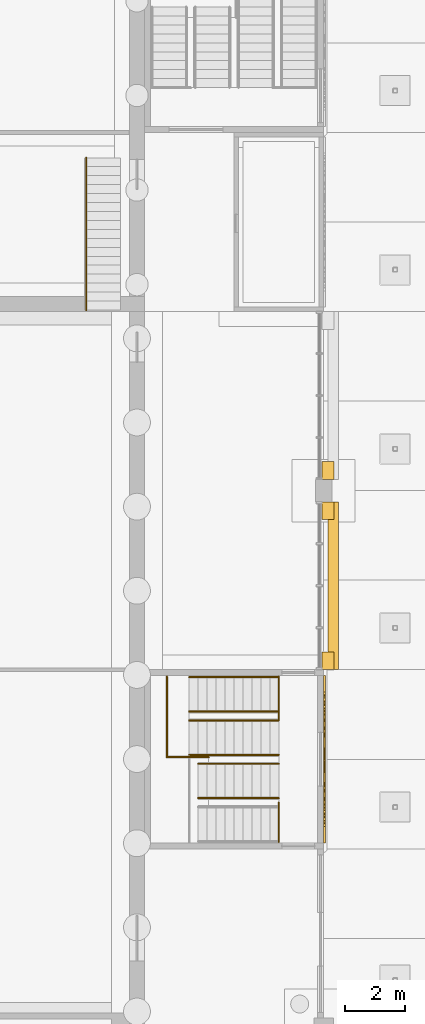
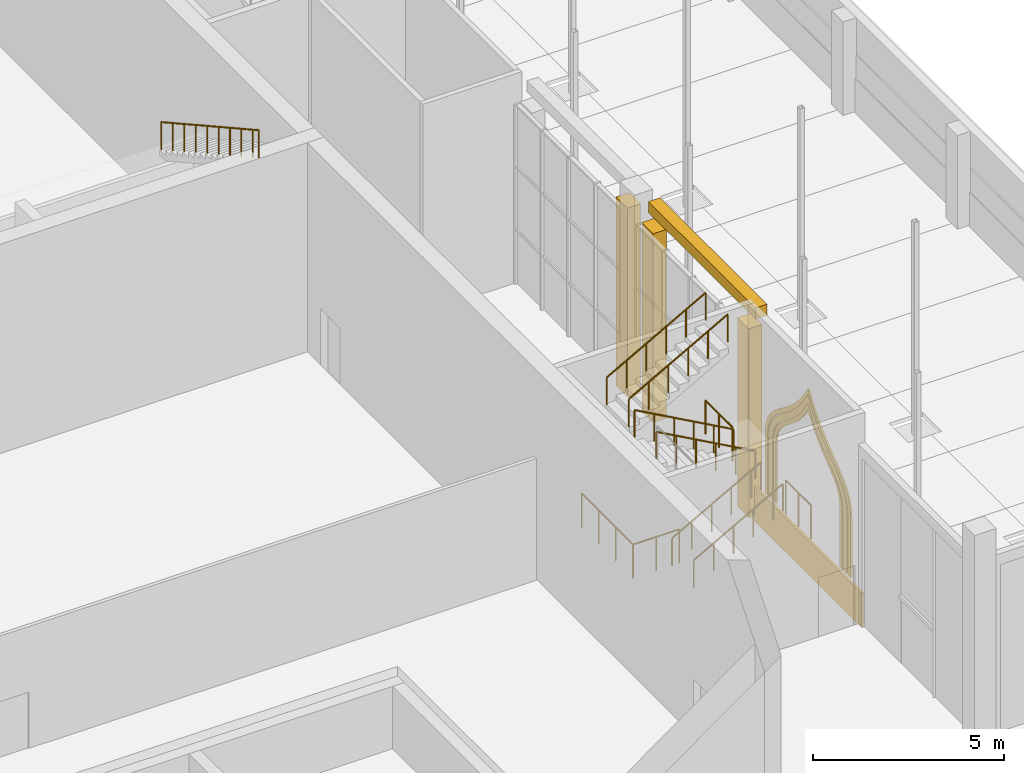
# One storey, part 69 of 95: 11 railings, 8 coverings.
"""IFC4 building model written with IfcOpenShell, lengths in metres."""

import ifcopenshell
import ifcopenshell.guid

model = None  # the IFC model being written
_history = None  # IfcOwnerHistory: only IFC2X3 demands one
_inside = {}  # id of a spatial element -> (the spatial element, [elements in it])
_under = {}  # id of a project, library or spatial element -> (it, [spatial elements below it])
_declared = {}  # id of a project -> (the project, [libraries it declares])
_typed = {}  # id of a type object -> (the type object, [elements of that type])
_made_of = {}  # id of a material, layer set ... -> (it, [elements and type objects made of it])


def new_model(schema):
    """Start an empty IFC model of exactly this schema.

    Asked for "IFC4X3", IfcOpenShell would pick the latest addendum, in which some entities
    have other attributes; the version numbers below select the first issue.
    IFC2X3 requires an IfcOwnerHistory on every rooted entity: one is made here for all.
    """
    global model, _history
    if schema == "IFC4X3":
        model = ifcopenshell.file(schema_version=(4, 3, 0, 0))
    else:
        model = ifcopenshell.file(schema=schema)
    _inside.clear()
    _under.clear()
    _declared.clear()
    _typed.clear()
    _made_of.clear()
    _history = None
    if model.schema == "IFC2X3":
        org = make("IfcOrganization", Name="unknown")
        user = make(
            "IfcPersonAndOrganization",
            ThePerson=make("IfcPerson", FamilyName="unknown"),
            TheOrganization=org,
        )
        app = make(
            "IfcApplication",
            ApplicationDeveloper=org,
            Version="unknown",
            ApplicationFullName="unknown",
            ApplicationIdentifier="unknown",
        )
        _history = make(
            "IfcOwnerHistory",
            OwningUser=user,
            OwningApplication=app,
            ChangeAction="ADDED",
            CreationDate=0,
        )
    return model


def make(cls, **values):
    """One entity of the class cls with the attributes given. An attribute that is None is left unset."""
    return model.create_entity(
        cls, **{name: value for name, value in values.items() if value is not None}
    )


def rooted(cls, **values):
    """An entity with a GlobalId (a new one), such as an element, a storey or a relation."""
    return make(cls, GlobalId=ifcopenshell.guid.new(), OwnerHistory=_history, **values)


def si_unit(unit_type, name, prefix=None):
    """IfcSIUnit, for example si_unit("LENGTHUNIT", "METRE", prefix="MILLI")."""
    return make("IfcSIUnit", UnitType=unit_type, Prefix=prefix, Name=name)


def assignment(units):
    """IfcUnitAssignment: the units of a project."""
    return None if units is None else make("IfcUnitAssignment", Units=units)


def point(xyz):
    """IfcCartesianPoint."""
    return None if xyz is None else make("IfcCartesianPoint", Coordinates=xyz)


def direction(xyz):
    """IfcDirection."""
    return None if xyz is None else make("IfcDirection", DirectionRatios=xyz)


def frame(location, z_axis=None, x_axis=None):
    """IfcAxis2Placement3D, a coordinate frame: its origin and axes. An axis left out is left unset."""
    return make(
        "IfcAxis2Placement3D",
        Location=point(location),
        Axis=direction(z_axis),
        RefDirection=direction(x_axis),
    )


def frame_2d(location, x_axis=None):
    """IfcAxis2Placement2D, a coordinate frame in the plane: its origin and x axis."""
    return make(
        "IfcAxis2Placement2D", Location=point(location), RefDirection=direction(x_axis)
    )


def origin():
    """The frame at (0, 0, 0) with its axes left unset."""
    return frame((0.0, 0.0, 0.0))


def origin_2d():
    """The frame at (0, 0) in the plane with its x axis left unset."""
    return frame_2d((0.0, 0.0))


def place(relative_to, where):
    """IfcLocalPlacement: puts the frame where relative to a parent placement (None: the world)."""
    return make(
        "IfcLocalPlacement", PlacementRelTo=relative_to, RelativePlacement=where
    )


def context(
    kind, dimensions, precision=None, world=None, true_north=None, identifier=None
):
    """IfcGeometricRepresentationContext, for example the 3D "Model" context."""
    return make(
        "IfcGeometricRepresentationContext",
        ContextIdentifier=identifier,
        ContextType=kind,
        CoordinateSpaceDimension=dimensions,
        Precision=precision,
        WorldCoordinateSystem=world,
        TrueNorth=true_north,
    )


def subcontext(parent, identifier, kind, view, scale=None):
    """IfcGeometricRepresentationSubContext, for example "Body" below "Model"."""
    return make(
        "IfcGeometricRepresentationSubContext",
        ContextIdentifier=identifier,
        ContextType=kind,
        ParentContext=parent,
        TargetScale=scale,
        TargetView=view,
    )


def project(units=None, contexts=None):
    """IfcProject with its units and contexts."""
    return rooted(
        "IfcProject",
        Name="project",
        RepresentationContexts=contexts,
        UnitsInContext=assignment(units),
    )


def spatial(cls, under=None, at=None, **own):
    """A site, building, storey or space (cls), placed at a placement, below another one or the project."""
    s = rooted(cls, ObjectPlacement=at, **own)
    if under is not None:
        _under.setdefault(under.id(), (under, []))[1].append(s)
    return s


def polyline(points):
    """IfcPolyline through the points."""
    return make("IfcPolyline", Points=[point(p) for p in points])


def profile(cls, at=None, kind="AREA", **sizes):
    """A parametric profile (cls). Its sizes go by their IFC names, for example OverallWidth=200.0."""
    return make(cls, ProfileType=kind, Position=at, **sizes)


def rectangle(**sizes):
    """IfcRectangleProfileDef."""
    return profile("IfcRectangleProfileDef", **sizes)


def circle(**sizes):
    """IfcCircleProfileDef."""
    return profile("IfcCircleProfileDef", **sizes)


def outline(outer, holes=None, kind="AREA"):
    """IfcArbitraryClosedProfileDef: a profile drawn as a closed curve; with holes, ...WithVoids."""
    if holes is None:
        return make("IfcArbitraryClosedProfileDef", ProfileType=kind, OuterCurve=outer)
    return make(
        "IfcArbitraryProfileDefWithVoids",
        ProfileType=kind,
        OuterCurve=outer,
        InnerCurves=holes,
    )


def extrude(swept, where, along, depth):
    """IfcExtrudedAreaSolid: the profile swept, set in the frame where, extruded along a direction by depth."""
    return make(
        "IfcExtrudedAreaSolid",
        SweptArea=swept,
        Position=where,
        ExtrudedDirection=direction(along),
        Depth=depth,
    )


def shape(context_of_items, identifier, shape_type, items):
    """IfcShapeRepresentation: the items that make up one representation, for example the "Body"."""
    return make(
        "IfcShapeRepresentation",
        ContextOfItems=context_of_items,
        RepresentationIdentifier=identifier,
        RepresentationType=shape_type,
        Items=items,
    )


def material(Name=None, Category=None):
    """IfcMaterial."""
    return make("IfcMaterial", Name=Name, Category=Category)


def layer(
    of_material, thickness, ventilated=None, Name=None, Category=None, Priority=None
):
    """IfcMaterialLayer: one layer of a wall or slab, of a material (None: an air gap)."""
    return make(
        "IfcMaterialLayer",
        Material=of_material,
        LayerThickness=thickness,
        IsVentilated=ventilated,
        Name=Name,
        Category=Category,
        Priority=Priority,
    )


def layer_set(layers, Name=None):
    """IfcMaterialLayerSet."""
    return make("IfcMaterialLayerSet", MaterialLayers=layers, LayerSetName=Name)


def made_of(thing, what):
    """Note that an element or type object is made of a material, layer set ...; save() writes the relation."""
    if what is not None:
        _made_of.setdefault(what.id(), (what, []))[1].append(thing)
    return thing


def type_object(cls, material=None, **own):
    """A type object (cls), such as IfcWallType, which elements share."""
    return made_of(rooted(cls, **own), material)


def element(
    cls,
    number,
    at=None,
    inside=None,
    cuts=None,
    type_object=None,
    material=None,
    context=None,
    identifier="Body",
    shape_type=None,
    held_by="IfcProductDefinitionShape",
    body=None,
    shapes=None,
    **own,
):
    """One element of the class cls, such as IfcWall. Its Tag is "e" and its number.

    at: its placement. inside: the storey or other place that contains it. cuts: it is an
    opening in that element (IfcRelVoidsElement). A single representation is given by context,
    identifier, shape_type and body (its items); several are given by shapes. held_by: the class
    of the entity that holds the representations. save() writes the other relations.
    """
    e = rooted(cls, Tag="e%d" % number, ObjectPlacement=at, **own)
    if body is not None:
        shapes = [shape(context, identifier, shape_type, body)]
    if shapes is not None:
        e.Representation = make(held_by, Representations=shapes)
    if inside is not None:
        _inside.setdefault(inside.id(), (inside, []))[1].append(e)
    if cuts is not None:
        rooted(
            "IfcRelVoidsElement", RelatingBuildingElement=cuts, RelatedOpeningElement=e
        )
    if type_object is not None:
        _typed.setdefault(type_object.id(), (type_object, []))[1].append(e)
    return made_of(e, material)


def aggregate(whole, parts):
    """IfcRelAggregates: a whole, such as a stair, and the parts it consists of."""
    return rooted("IfcRelAggregates", RelatingObject=whole, RelatedObjects=parts)


def save(model, path):
    """Write the relations noted so far, then the file.

    IfcRelAggregates (storeys below a building ...), IfcRelContainedInSpatialStructure (elements
    in a storey), IfcRelDefinesByType, IfcRelAssociatesMaterial and IfcRelDeclares: one each for
    every whole, place, type object, material and project.
    """
    for whole, parts in _under.values():
        aggregate(whole, parts)
    for where, things in _inside.values():
        rooted(
            "IfcRelContainedInSpatialStructure",
            RelatedElements=things,
            RelatingStructure=where,
        )
    for kind, things in _typed.values():
        rooted("IfcRelDefinesByType", RelatedObjects=things, RelatingType=kind)
    for what, things in _made_of.values():
        rooted("IfcRelAssociatesMaterial", RelatedObjects=things, RelatingMaterial=what)
    for by, libraries in _declared.values():
        rooted("IfcRelDeclares", RelatingContext=by, RelatedDefinitions=libraries)
    model.write(path)


model = new_model("IFC4")

# Units and contexts
model_context = context("Model", 3, precision=1e-05, world=origin(), true_north=direction((0.0, 1.0)))
body_context = subcontext(model_context, "Body", "Model", "MODEL_VIEW")
ifc_project = project(units=[si_unit("LENGTHUNIT", "METRE"), si_unit("AREAUNIT", "SQUARE_METRE"), si_unit("VOLUMEUNIT", "CUBIC_METRE"), si_unit("PLANEANGLEUNIT", "RADIAN"), si_unit("MASSUNIT", "GRAM", prefix="KILO")], contexts=[model_context])

# Site, building, storey
site_placement = place(None, origin())
site = spatial("IfcSite", under=ifc_project, at=site_placement, CompositionType="ELEMENT")
building_placement = place(site_placement, origin())
building = spatial("IfcBuilding", under=site, at=building_placement, Name="Saffron Lane Theatres", CompositionType="ELEMENT")
storey_placement = place(building_placement, origin())
storey = spatial("IfcBuildingStorey", under=building, at=storey_placement, Name="L00", CompositionType="ELEMENT", Elevation=0.0)

# Coverings
ifc_material_1 = material(Name="Masonry sandstone", Category="masonry")
ifc_layer_1 = layer(ifc_material_1, 0.050048828125)
ifc_layer_set_1 = layer_set([ifc_layer_1], Name="Masonry sandstone")
covering_type_1 = type_object("IfcCoveringType", Name="EX-ARCH FRAME RING SANDSTONE 50", PredefinedType="CLADDING", material=ifc_layer_set_1)
covering_1_placement = place(storey_placement, frame((54.0, 37.2099609375, 3.12890625), z_axis=(-1.0, 0.0, 0.0), x_axis=(0.0, 0.060212267817, 0.99818559537)))
element("IfcCovering", 1, at=covering_1_placement, inside=storey, type_object=covering_type_1, Name="Arch recess ring L00", PredefinedType="CLADDING", context=body_context, shape_type="SweptSolid", body=[
    extrude(outline(polyline([(0.0, 0.0), (0.18245996245064686, 1.734723475976807e-18), (0.3472933323075325, 0.024054199915656917), (0.49622918690115053, 0.06838953283459552), (0.6301982160698869, 0.13221610474866663), (0.7522361869840188, 0.21314953337272502), (0.8673137477940834, 0.3084441366809254), (0.9769603789575473, 0.41507264098694907), (1.0849429406100468, 0.5306065632235581), (1.196652181685609, 0.6552098929656452), (1.3147478693531138, 0.7843196692926863), (1.4429589697428435, 0.9189338765698157), (1.5855397383006742, 1.056594631208401), (1.7442633531391913, 1.1942599592614254), (1.9247936613689376, 1.3325665453533233), (2.12835764474947, 1.4675270254379955), (2.4426495451358874, 1.645948009593871), (2.1520838655153414, 1.860855040801105), (1.9662777970574683, 2.020281328100966), (1.8036230058359621, 2.1783110906345584), (1.662672006180802, 2.3352762276211867), (1.5375992481137724, 2.487859380230101), (1.426499251176009, 2.63690924351224), (1.324838454968383, 2.780253445608964), (1.228858492839216, 2.9164066068448986), (1.1355467913628874, 3.044082944417697), (1.0395126016053695, 3.1631184687524665), (0.9367244587384699, 3.2715551051242904), (0.8253000760479804, 3.366571383496617), (0.6999748001694127, 3.4460390327928985), (0.5575070602827237, 3.508930668126604), (0.39670156185697103, 3.55164962571373), (0.21556462286910513, 3.5735824146744983), (-1.6599325309316955, 3.686715621002965), (-1.6671650591948977, 3.566816374684099), (0.2044329321239884, 3.4539183725267932), (0.3734437893986623, 3.4336953872213822), (0.5183416457148889, 3.394871018701731), (0.6434016635559805, 3.339388641432058), (0.7534158012368836, 3.269649624665426), (0.854417699092799, 3.184311671263917), (0.9484304396681715, 3.084475667417548), (1.0398993817979454, 2.970851799054243), (1.1314232049009902, 2.845973737773342), (1.2274178672908547, 2.7100642741925265), (1.329994653076169, 2.5656864804325337), (1.4431703268244287, 2.4145547335631594), (1.5708440510175474, 2.256433829413242), (1.7174232904851157, 2.0954604213430774), (1.8848282259466955, 1.9310295119568452), (2.0772226245767573, 1.767292454875538), (2.2230779578730857, 1.6591929444823779), (2.065286012890334, 1.569409958918385), (1.8546044899525003, 1.4299871330308518), (1.6686478254905923, 1.2868716016560897), (1.5037814617152523, 1.1446851267574143), (1.3580852179069176, 1.0040327057306444), (1.2275044354927402, 0.8666264289383573), (1.1083163551191764, 0.7356258724131494), (0.9966806153471018, 0.6122410309466604), (0.8908093378032328, 0.49927018083078695), (0.7863453652168108, 0.39746532206832463), (0.6810722249471028, 0.31062892209304366), (0.5704857571163746, 0.2370760043565431), (0.45288628491552757, 0.1810670310814375), (0.32206376488099014, 0.14101992754420883), (0.17360844547595256, 0.1208694635249055), (0.0033333657812880347, 0.1201344504900272), (-1.868264625537598, 0.2330324526473327), (-1.8754971538008005, 0.11313320632846652), (0.0, 0.0)])), origin(), (0.0, 0.0, -1.0), 0.050048828125),
])
covering_2_placement = place(storey_placement, frame((54.0, 36.949951171875, 3.1298828125), z_axis=(-1.0, 0.0, 0.0), x_axis=(0.0, 0.063270109204, 0.997996439513)))
element("IfcCovering", 2, at=covering_2_placement, inside=storey, type_object=covering_type_1, Name="Arch recess ring L00", PredefinedType="CLADDING", context=body_context, shape_type="SweptSolid", body=[
    extrude(outline(polyline([(0.0, 0.0), (0.20451131328636926, 0.0), (0.39167061959098615, 0.0272755584828641), (0.5603025045638261, 0.07872099349623404), (0.7122943927847947, 0.15323812471010928), (0.850322953083702, 0.24674316688458328), (0.9794859222312594, 0.3547542152652111), (1.1014425201368863, 0.47643218780048757), (1.22206777840678, 0.6079797937474251), (1.3461265989027185, 0.747382536704494), (1.475506406204607, 0.8935422363416936), (1.61737772331112, 1.0438026252684656), (1.772425164233714, 1.1973864086493233), (1.9466009945986111, 1.3517145531137325), (2.1436646167616167, 1.5043470465272013), (2.366570742024628, 1.6555858301906534), (2.7526149361191536, 1.8796565861857986), (2.3979586477623505, 2.15068562635549), (2.1959366015138087, 2.3288636362032866), (2.0198033987772868, 2.506378890724539), (1.866496200622854, 2.6812238882968886), (1.7320239026346331, 2.8521838689374683), (1.6102643243423505, 3.0191576997974177), (1.5003783836945004, 3.1804861609673156), (1.3949175152203226, 3.3344397932968923), (1.291870719907874, 3.480167565320222), (1.1862568406393097, 3.6162728527959676), (1.071768335296298, 3.7397307051813806), (0.9466533031453908, 3.849918295681022), (0.8052888160797143, 3.9430333789166583), (0.6445656947573242, 4.016337498842459), (0.4622875785182192, 4.066055806298615), (0.2594136264563572, 4.091882862594615), (-1.6167027271210241, 4.2108232534314585), (-1.6293536596009428, 4.011272695823683), (0.24091505858866472, 3.8927030282829542), (0.4226376727818617, 3.868950798358842), (0.5763074336567084, 3.8271619474415197), (0.707818317012993, 3.767696706658345), (0.825226268312909, 3.69028898295165), (0.9325996259923582, 3.597371793676754), (1.0327386333131892, 3.4868105653896757), (1.130945332887761, 3.3612047329002017), (1.2313772465864183, 3.2205353520147404), (1.3349506904806907, 3.067679900015165), (1.4478805258648797, 2.9042014185972795), (1.5719958874924584, 2.731940991928976), (1.7130397805127526, 2.552736206788559), (1.8738777327932161, 2.369340966025863), (2.0582726440792407, 2.1832291279022495), (2.2709311264061713, 1.9953254605140816), (2.3932290112455648, 1.9024406220928562), (2.260180150818841, 1.8257440342686455), (2.0254945259810873, 1.6662006990332623), (1.8190724721842393, 1.5048655345333242), (1.6363618454330005, 1.3432502874173748), (1.4738160012380457, 1.1832922200669196), (1.3289401350280363, 1.0280850650198985), (1.196269284125732, 0.8801769620388366), (1.074221462641737, 0.7416252505476916), (0.9568289581458259, 0.6147653124425081), (0.8435461778625839, 0.5025673058291871), (0.7302464935296764, 0.4055374778503005), (0.6119985858308586, 0.3269240290838356), (0.4858168498562248, 0.2659377152798876), (0.34778741520992096, 0.22258203382804242), (0.19007059168582058, 0.2005341984288354), (0.006803297092145158, 0.19992128090389086), (-1.8634654210974624, 0.31849094844461956), (-1.8761163535773813, 0.11894039083684355), (0.0, 0.0)])), origin(), (0.0, 0.0, -1.0), 0.050048828125),
])
covering_3_placement = place(storey_placement, frame((54.0, 36.75, 3.12890625), z_axis=(-1.0, 0.0, 0.0), x_axis=(0.0, 0.063067105822, 0.998009288616)))
element("IfcCovering", 3, at=covering_3_placement, inside=storey, type_object=covering_type_1, Name="Arch recess ring L00", PredefinedType="CLADDING", context=body_context, shape_type="SweptSolid", body=[
    extrude(outline(polyline([(0.0, 0.0), (0.22065410238359984, 0.0), (0.4187134265220611, 0.029560004583244877), (0.5977096136465027, 0.08649981821842359), (0.7591480818830546, 0.16754415025789063), (0.9059345880561891, 0.2683507081522934), (1.0436269965020135, 0.3878343914866551), (1.1763647343450248, 0.5218195761099406), (1.3079077001851873, 0.667867014636728), (1.443005808311013, 0.823719525322545), (1.5854805462929957, 0.9879124792278838), (1.74149756436062, 1.1573653473180439), (1.9128829214646568, 1.3300057147601387), (2.1051636874559483, 1.5042611719162358), (2.322602467400049, 1.6779053315271268), (2.5687309025280785, 1.848757998061501), (2.939299582482729, 2.0687451567247677), (2.5993714153662166, 2.333630674903618), (2.376708378009706, 2.5341076362624033), (2.1828581737781825, 2.733742341436499), (2.0140428055584096, 2.9308165121735614), (1.8657533124027184, 3.1236580619491425), (1.7323086520339435, 3.311402854286392), (1.6116364096191989, 3.4922248302345396), (1.4972321955910908, 3.6638441173757603), (1.3851205499528025, 3.825288798534778), (1.2703052025337076, 3.97491758167241), (1.1487491043664604, 4.110783931167464), (1.0158201165623333, 4.229266523603667), (0.8658679913294249, 4.329988531727124), (0.6954634655937679, 4.409007991296922), (0.5027007929207938, 4.463265173062263), (0.2838019761972683, 4.491041798770807), (-1.59136391374089, 4.609538978068451), (-1.6001865337691579, 4.469924885691299), (0.27108088238534517, 4.35167406227577), (0.47394468647918964, 4.32564461841539), (0.6469894341356787, 4.276792138941024), (0.7970093612615814, 4.208112062862302), (0.9298059868044842, 4.1185038925216135), (1.0502089125366965, 4.010842590258167), (1.1633656797845302, 3.885292123199643), (1.2717436291480344, 3.7421858281426754), (1.3819241364077643, 3.585021850562481), (1.4954153209604875, 3.414438770837703), (1.618203468665377, 3.2322599466484734), (1.7523763915979502, 3.0405550915570396), (1.9052310321305657, 2.842532504699245), (2.0797528345714937, 2.638982037609416), (2.279081215655327, 2.4331300879366635), (2.509399924124821, 2.2260536522840537), (2.691990151832101, 2.0843733579964816), (2.493017257964128, 1.9668051456709819), (2.238463289591504, 1.7903692228565102), (2.0148072651487468, 1.6112468863933098), (1.816050202804688, 1.4312849950160573), (1.639483808618438, 1.2540794801970379), (1.4822458162227838, 1.080789727293752), (1.3375012005243339, 0.9155170755147108), (1.203439299814951, 0.7605775943042786), (1.0743509786028422, 0.6185337089889347), (0.9488205009470336, 0.4902087668589081), (0.820759202831201, 0.3799015700062919), (0.6877613326258244, 0.28825340008036515), (0.5447409379751207, 0.21607490839936183), (0.3872687454152185, 0.16682615252251398), (0.2094508525427381, 0.1401457024385599), (0.004924146244612728, 0.13986044825926805), (-1.8663432699098903, 0.2581112716747965), (-1.8751658899381582, 0.11849717929764414), (0.0, 0.0)])), origin(), (0.0, 0.0, -1.0), 0.050048828125),
])
ifc_material_2 = material(Name="Masonry sandstone", Category="masonry")
ifc_layer_2 = layer(ifc_material_2, 0.39990234375)
ifc_layer_set_2 = layer_set([ifc_layer_2], Name="Masonry sandstone")
covering_type_2 = type_object("IfcCoveringType", Name="EX-PILASTER PIER SANDSTONE 400", PredefinedType="CLADDING", material=ifc_layer_set_2)
for number, where, z_axis, x_axis, name in (
    (4, (54.14990234375, 48.675048828125, 0.0), (0.0, 0.0, 1.0), (0.0, -1.0, 0.0), "Pilaster pier L00"),
    (5, (54.14990234375, 47.324951171875, 0.0), (0.0, 0.0, 1.0), (0.0, -1.0, 0.0), "Pilaster pier L00"),
    (6, (54.14990234375, 42.300048828125, 0.0), (0.0, 0.0, 1.0), (0.0, -1.0, 0.0), "Pilaster pier L00"),
):
    element("IfcCovering", number, at=place(storey_placement, frame(where, z_axis=z_axis, x_axis=x_axis)), inside=storey, type_object=covering_type_2, Name=name, PredefinedType="CLADDING", context=body_context, shape_type="SweptSolid", body=[
        extrude(rectangle(XDim=0.60009765625, YDim=0.39990234375, at=origin_2d()), origin(), (0.0, 0.0, 1.0), 6.050048828125),
    ])
ifc_material_3 = material(Name="Masonry sandstone", Category="masonry")
ifc_layer_3 = layer(ifc_material_3, 0.070068359375)
ifc_layer_set_3 = layer_set([ifc_layer_3], Name="Masonry sandstone")
covering_type_3 = type_object("IfcCoveringType", Name="EX-PLINTH COURSE SANDSTONE 70", PredefinedType="CLADDING", material=ifc_layer_set_3)
covering_4_placement = place(storey_placement, frame((54.034912109375, 39.0, 0.0), z_axis=(0.0, 0.0, 1.0), x_axis=(0.0, 1.0, 0.0)))
element("IfcCovering", 7, at=covering_4_placement, inside=storey, type_object=covering_type_3, Name="Plinth course L00", PredefinedType="CLADDING", context=body_context, shape_type="SweptSolid", body=[
    extrude(rectangle(XDim=5.60009765625, YDim=0.070068359375, at=origin_2d()), origin(), (0.0, 0.0, 1.0), 1.10009765625),
])
ifc_material_4 = material(Name="Masonry sandstone", Category="masonry")
ifc_layer_4 = layer(ifc_material_4, 0.300048828125)
ifc_layer_set_4 = layer_set([ifc_layer_4], Name="Masonry sandstone")
covering_type_4 = type_object("IfcCoveringType", Name="EX-STRING COURSE SANDSTONE 350", PredefinedType="CLADDING", material=ifc_layer_set_4)
covering_5_placement = place(storey_placement, frame((54.324951171875, 44.81201171875, 6.300048828125), z_axis=(0.0, 0.0, 1.0), x_axis=(0.0, -1.0, 0.0)))
element("IfcCovering", 8, at=covering_5_placement, inside=storey, type_object=covering_type_4, Name="String course L00", PredefinedType="CLADDING", context=body_context, shape_type="SweptSolid", body=[
    extrude(rectangle(XDim=5.625, YDim=0.35009765625, at=origin_2d()), origin(), (0.0, 0.0, 1.0), 0.35009765625),
])

# Railings
ifc_material_5 = material(Name="Steel Grade 350", Category="steel")
railing_type_1 = type_object("IfcRailingType", Name="VC-GUARD 1100", PredefinedType="GUARDRAIL", material=ifc_material_5)
railing_1_placement = place(storey_placement, frame((48.75, 39.10009765625, 1.666748046875)))
element("IfcRailing", 9, at=railing_1_placement, inside=storey, type_object=railing_type_1, Name="Stage East Stair landing guard 1N1s", PredefinedType="GUARDRAIL", context=body_context, shape_type="SweptSolid", body=[
    extrude(circle(Radius=0.02392578125, at=origin_2d()), frame((0.0, 0.0, 1.076171875), z_axis=(0.0, 1.0, 0.0), x_axis=(-1.0, 0.0, 0.0)), (0.0, 0.0, 1.0), 2.669921875),
    extrude(circle(Radius=0.02099609375, at=origin_2d()), origin(), (0.0, 0.0, 1.0), 1.052001953125),
    extrude(circle(Radius=0.02099609375, at=origin_2d()), frame((0.0, 0.889892578125, 0.0)), (0.0, 0.0, 1.0), 1.052001953125),
    extrude(circle(Radius=0.02099609375, at=origin_2d()), frame((0.0, 1.780029296875, 0.0)), (0.0, 0.0, 1.0), 1.052001953125),
    extrude(circle(Radius=0.02099609375, at=origin_2d()), frame((0.0, 2.669921875, 0.0)), (0.0, 0.0, 1.0), 1.052001953125),
])
railing_2_placement = place(storey_placement, frame((50.14990234375, 39.070068359375, 1.666748046875)))
element("IfcRailing", 10, at=railing_2_placement, inside=storey, type_object=railing_type_1, Name="Stage East Stair landing guard 1N1e", PredefinedType="GUARDRAIL", context=body_context, shape_type="SweptSolid", body=[
    extrude(circle(Radius=0.02392578125, at=origin_2d()), frame((0.0, 0.0, 1.076171875), z_axis=(-1.0, 0.0, 0.0), x_axis=(0.0, -1.0, 0.0)), (0.0, 0.0, 1.0), 1.39990234375),
    extrude(circle(Radius=0.02099609375, at=origin_2d()), origin(), (0.0, 0.0, 1.0), 1.052001953125),
    extrude(circle(Radius=0.02099609375, at=origin_2d()), frame((-0.699951171875, 0.0, 0.0)), (0.0, 0.0, 1.0), 1.052001953125),
    extrude(circle(Radius=0.02099609375, at=origin_2d()), frame((-1.39990234375, 0.0, 0.0)), (0.0, 0.0, 1.0), 1.052001953125),
])
railing_3_placement = place(storey_placement, frame((52.5, 36.22998046875, 3.333251953125)))
element("IfcRailing", 11, at=railing_3_placement, inside=storey, type_object=railing_type_1, Name="Stage East Stair landing guard 1S2w", PredefinedType="GUARDRAIL", context=body_context, shape_type="SweptSolid", body=[
    extrude(circle(Radius=0.02392578125, at=origin_2d()), frame((0.0, 0.0, 1.076171875), z_axis=(0.0, 1.0, 0.0), x_axis=(-1.0, 0.0, 0.0)), (0.0, 0.0, 1.0), 1.320068359375),
    extrude(circle(Radius=0.02099609375, at=origin_2d()), origin(), (0.0, 0.0, 1.0), 1.052001953125),
    extrude(circle(Radius=0.02099609375, at=origin_2d()), frame((0.0, 0.66015625, 0.0)), (0.0, 0.0, 1.0), 1.052001953125),
    extrude(circle(Radius=0.02099609375, at=origin_2d()), frame((0.0, 1.320068359375, 0.0)), (0.0, 0.0, 1.0), 1.052001953125),
])
railing_4_placement = place(storey_placement, frame((52.5, 40.35009765625, 3.333251953125)))
element("IfcRailing", 12, at=railing_4_placement, inside=storey, type_object=railing_type_1, Name="Stage East Stair landing guard 1S2e", PredefinedType="GUARDRAIL", context=body_context, shape_type="SweptSolid", body=[
    extrude(circle(Radius=0.02392578125, at=origin_2d()), frame((0.0, 0.0, 1.076171875), z_axis=(0.0, 1.0, 0.0), x_axis=(-1.0, 0.0, 0.0)), (0.0, 0.0, 1.0), 1.419921875),
    extrude(circle(Radius=0.02099609375, at=origin_2d()), origin(), (0.0, 0.0, 1.0), 1.052001953125),
    extrude(circle(Radius=0.02099609375, at=origin_2d()), frame((0.0, 0.7099609375, 0.0)), (0.0, 0.0, 1.0), 1.052001953125),
    extrude(circle(Radius=0.02099609375, at=origin_2d()), frame((0.0, 1.419921875, 0.0)), (0.0, 0.0, 1.0), 1.052001953125),
])
ifc_material_6 = material(Name="Steel Grade 350", Category="steel")
railing_type_2 = type_object("IfcRailingType", Name="VC-HANDRAIL 900", PredefinedType="HANDRAIL", material=ifc_material_6)
railing_5_placement = place(storey_placement, frame((49.800048828125, 37.699951171875, 1.833251953125)))
element("IfcRailing", 13, at=railing_5_placement, inside=storey, type_object=railing_type_2, Name="Stage East Stair handrail 1.2a", PredefinedType="HANDRAIL", context=body_context, shape_type="SweptSolid", body=[
    extrude(circle(Radius=0.02392578125, at=origin_2d()), frame((0.0, 0.0, 0.8759765625), z_axis=(0.874006220275, 0.0, 0.485914732151), x_axis=(0.0, 1.0, 0.0)), (0.0, 0.0, 1.0), 0.686279296875),
    extrude(circle(Radius=0.02392578125, at=origin_2d()), frame((0.599853515625, 0.0, 1.20947265625), z_axis=(0.874241147926, 0.0, 0.485491931212), x_axis=(0.0, 1.0, 0.0)), (0.0, 0.0, 1.0), 0.6865234375),
    extrude(circle(Radius=0.02392578125, at=origin_2d()), frame((1.199951171875, 0.0, 1.54248046875), z_axis=(0.874241147926, 0.0, 0.485491931212), x_axis=(0.0, 1.0, 0.0)), (0.0, 0.0, 1.0), 0.6865234375),
    extrude(circle(Radius=0.02392578125, at=origin_2d()), frame((1.800048828125, 0.0, 1.8759765625), z_axis=(0.874006220275, 0.0, 0.485914732151), x_axis=(0.0, 1.0, 0.0)), (0.0, 0.0, 1.0), 0.686279296875),
    extrude(circle(Radius=0.02392578125, at=origin_2d()), frame((2.39990234375, 0.0, 2.20947265625), z_axis=(0.87439209197, 0.0, 0.485220021744), x_axis=(0.0, 1.0, 0.0)), (0.0, 0.0, 1.0), 0.34326171875),
    extrude(circle(Radius=0.02099609375, at=origin_2d()), origin(), (0.0, 0.0, 1.0), 0.851806640625),
    extrude(circle(Radius=0.02099609375, at=origin_2d()), frame((0.599853515625, 0.0, 0.33349609375)), (0.0, 0.0, 1.0), 0.851806640625),
    extrude(circle(Radius=0.02099609375, at=origin_2d()), frame((1.199951171875, 0.0, 0.666748046875)), (0.0, 0.0, 1.0), 0.851806640625),
    extrude(circle(Radius=0.02099609375, at=origin_2d()), frame((1.800048828125, 0.0, 1.0)), (0.0, 0.0, 1.0), 0.851806640625),
    extrude(circle(Radius=0.02099609375, at=origin_2d()), frame((2.39990234375, 0.0, 1.33349609375)), (0.0, 0.0, 1.0), 0.851806640625),
    extrude(circle(Radius=0.02099609375, at=origin_2d()), frame((2.699951171875, 0.0, 1.5)), (0.0, 0.0, 1.0), 0.851806640625),
])
railing_6_placement = place(storey_placement, frame((49.800048828125, 38.85009765625, 1.833251953125)))
element("IfcRailing", 14, at=railing_6_placement, inside=storey, type_object=railing_type_2, Name="Stage East Stair handrail 1.2b", PredefinedType="HANDRAIL", context=body_context, shape_type="SweptSolid", body=[
    extrude(circle(Radius=0.02392578125, at=origin_2d()), frame((0.0, 0.0, 0.8759765625), z_axis=(0.874006220275, 0.0, 0.485914732151), x_axis=(0.0, 1.0, 0.0)), (0.0, 0.0, 1.0), 0.686279296875),
    extrude(circle(Radius=0.02392578125, at=origin_2d()), frame((0.599853515625, 0.0, 1.20947265625), z_axis=(0.874241147926, 0.0, 0.485491931212), x_axis=(0.0, 1.0, 0.0)), (0.0, 0.0, 1.0), 0.6865234375),
    extrude(circle(Radius=0.02392578125, at=origin_2d()), frame((1.199951171875, 0.0, 1.54248046875), z_axis=(0.874241147926, 0.0, 0.485491931212), x_axis=(0.0, 1.0, 0.0)), (0.0, 0.0, 1.0), 0.6865234375),
    extrude(circle(Radius=0.02392578125, at=origin_2d()), frame((1.800048828125, 0.0, 1.8759765625), z_axis=(0.874006220275, 0.0, 0.485914732151), x_axis=(0.0, 1.0, 0.0)), (0.0, 0.0, 1.0), 0.686279296875),
    extrude(circle(Radius=0.02392578125, at=origin_2d()), frame((2.39990234375, 0.0, 2.20947265625), z_axis=(0.87439209197, 0.0, 0.485220021744), x_axis=(0.0, 1.0, 0.0)), (0.0, 0.0, 1.0), 0.34326171875),
    extrude(circle(Radius=0.02099609375, at=origin_2d()), origin(), (0.0, 0.0, 1.0), 0.851806640625),
    extrude(circle(Radius=0.02099609375, at=origin_2d()), frame((0.599853515625, 0.0, 0.33349609375)), (0.0, 0.0, 1.0), 0.851806640625),
    extrude(circle(Radius=0.02099609375, at=origin_2d()), frame((1.199951171875, 0.0, 0.666748046875)), (0.0, 0.0, 1.0), 0.851806640625),
    extrude(circle(Radius=0.02099609375, at=origin_2d()), frame((1.800048828125, 0.0, 1.0)), (0.0, 0.0, 1.0), 0.851806640625),
    extrude(circle(Radius=0.02099609375, at=origin_2d()), frame((2.39990234375, 0.0, 1.33349609375)), (0.0, 0.0, 1.0), 0.851806640625),
    extrude(circle(Radius=0.02099609375, at=origin_2d()), frame((2.699951171875, 0.0, 1.5)), (0.0, 0.0, 1.0), 0.851806640625),
])
railing_7_placement = place(storey_placement, frame((52.5, 39.14990234375, 3.5)))
element("IfcRailing", 15, at=railing_7_placement, inside=storey, type_object=railing_type_2, Name="Stage East Stair handrail 1.3a", PredefinedType="HANDRAIL", context=body_context, shape_type="SweptSolid", body=[
    extrude(circle(Radius=0.02392578125, at=origin_2d()), frame((0.0, 0.0, 0.8759765625), z_axis=(-0.874241147926, 0.0, 0.485491931212), x_axis=(0.0, -1.0, 0.0)), (0.0, 0.0, 1.0), 0.6865234375),
    extrude(circle(Radius=0.02392578125, at=origin_2d()), frame((-0.60009765625, 0.0, 1.208984375), z_axis=(-0.874006220275, 0.0, 0.485914732151), x_axis=(0.0, -1.0, 0.0)), (0.0, 0.0, 1.0), 0.686279296875),
    extrude(circle(Radius=0.02392578125, at=origin_2d()), frame((-1.199951171875, 0.0, 1.54248046875), z_axis=(-0.874241147926, 0.0, 0.485491931212), x_axis=(0.0, -1.0, 0.0)), (0.0, 0.0, 1.0), 0.6865234375),
    extrude(circle(Radius=0.02392578125, at=origin_2d()), frame((-1.800048828125, 0.0, 1.8759765625), z_axis=(-0.874157276122, 0.0, 0.485642931179), x_axis=(0.0, -1.0, 0.0)), (0.0, 0.0, 1.0), 0.686279296875),
    extrude(circle(Radius=0.02392578125, at=origin_2d()), frame((-2.39990234375, 0.0, 2.208984375), z_axis=(-0.874090171491, 0.0, 0.485763699861), x_axis=(0.0, -1.0, 0.0)), (0.0, 0.0, 1.0), 0.6865234375),
    extrude(circle(Radius=0.02099609375, at=origin_2d()), origin(), (0.0, 0.0, 1.0), 0.851806640625),
    extrude(circle(Radius=0.02099609375, at=origin_2d()), frame((-0.60009765625, 0.0, 0.333251953125)), (0.0, 0.0, 1.0), 0.851806640625),
    extrude(circle(Radius=0.02099609375, at=origin_2d()), frame((-1.199951171875, 0.0, 0.666748046875)), (0.0, 0.0, 1.0), 0.851806640625),
    extrude(circle(Radius=0.02099609375, at=origin_2d()), frame((-1.800048828125, 0.0, 1.0)), (0.0, 0.0, 1.0), 0.851806640625),
    extrude(circle(Radius=0.02099609375, at=origin_2d()), frame((-2.39990234375, 0.0, 1.333251953125)), (0.0, 0.0, 1.0), 0.851806640625),
    extrude(circle(Radius=0.02099609375, at=origin_2d()), frame((-3.0, 0.0, 1.666748046875)), (0.0, 0.0, 1.0), 0.851806640625),
])
railing_8_placement = place(storey_placement, frame((52.5, 40.300048828125, 3.5)))
element("IfcRailing", 16, at=railing_8_placement, inside=storey, type_object=railing_type_2, Name="Stage East Stair handrail 1.3b", PredefinedType="HANDRAIL", context=body_context, shape_type="SweptSolid", body=[
    extrude(circle(Radius=0.02392578125, at=origin_2d()), frame((0.0, 0.0, 0.8759765625), z_axis=(-0.874241147926, 0.0, 0.485491931212), x_axis=(0.0, -1.0, 0.0)), (0.0, 0.0, 1.0), 0.6865234375),
    extrude(circle(Radius=0.02392578125, at=origin_2d()), frame((-0.60009765625, 0.0, 1.208984375), z_axis=(-0.874006220275, 0.0, 0.485914732151), x_axis=(0.0, -1.0, 0.0)), (0.0, 0.0, 1.0), 0.686279296875),
    extrude(circle(Radius=0.02392578125, at=origin_2d()), frame((-1.199951171875, 0.0, 1.54248046875), z_axis=(-0.874241147926, 0.0, 0.485491931212), x_axis=(0.0, -1.0, 0.0)), (0.0, 0.0, 1.0), 0.6865234375),
    extrude(circle(Radius=0.02392578125, at=origin_2d()), frame((-1.800048828125, 0.0, 1.8759765625), z_axis=(-0.874157276122, 0.0, 0.485642931179), x_axis=(0.0, -1.0, 0.0)), (0.0, 0.0, 1.0), 0.686279296875),
    extrude(circle(Radius=0.02392578125, at=origin_2d()), frame((-2.39990234375, 0.0, 2.208984375), z_axis=(-0.874090171491, 0.0, 0.485763699861), x_axis=(0.0, -1.0, 0.0)), (0.0, 0.0, 1.0), 0.6865234375),
    extrude(circle(Radius=0.02099609375, at=origin_2d()), origin(), (0.0, 0.0, 1.0), 0.851806640625),
    extrude(circle(Radius=0.02099609375, at=origin_2d()), frame((-0.60009765625, 0.0, 0.333251953125)), (0.0, 0.0, 1.0), 0.851806640625),
    extrude(circle(Radius=0.02099609375, at=origin_2d()), frame((-1.199951171875, 0.0, 0.666748046875)), (0.0, 0.0, 1.0), 0.851806640625),
    extrude(circle(Radius=0.02099609375, at=origin_2d()), frame((-1.800048828125, 0.0, 1.0)), (0.0, 0.0, 1.0), 0.851806640625),
    extrude(circle(Radius=0.02099609375, at=origin_2d()), frame((-2.39990234375, 0.0, 1.333251953125)), (0.0, 0.0, 1.0), 0.851806640625),
    extrude(circle(Radius=0.02099609375, at=origin_2d()), frame((-3.0, 0.0, 1.666748046875)), (0.0, 0.0, 1.0), 0.851806640625),
])
railing_9_placement = place(storey_placement, frame((49.5, 40.60009765625, 5.333251953125)))
element("IfcRailing", 17, at=railing_9_placement, inside=storey, type_object=railing_type_2, Name="Stage East Stair handrail 1.4a", PredefinedType="HANDRAIL", context=body_context, shape_type="SweptSolid", body=[
    extrude(circle(Radius=0.02392578125, at=origin_2d()), frame((0.0, 0.0, 0.8759765625), z_axis=(0.874090171491, 0.0, 0.485763699861), x_axis=(0.0, 1.0, 0.0)), (0.0, 0.0, 1.0), 0.6865234375),
    extrude(circle(Radius=0.02392578125, at=origin_2d()), frame((0.60009765625, 0.0, 1.20947265625), z_axis=(0.874157276122, 0.0, 0.485642931179), x_axis=(0.0, 1.0, 0.0)), (0.0, 0.0, 1.0), 0.686279296875),
    extrude(circle(Radius=0.02392578125, at=origin_2d()), frame((1.199951171875, 0.0, 1.54248046875), z_axis=(0.874241147926, 0.0, 0.485491931212), x_axis=(0.0, 1.0, 0.0)), (0.0, 0.0, 1.0), 0.6865234375),
    extrude(circle(Radius=0.02392578125, at=origin_2d()), frame((1.800048828125, 0.0, 1.8759765625), z_axis=(0.874006220275, 0.0, 0.485914732151), x_axis=(0.0, 1.0, 0.0)), (0.0, 0.0, 1.0), 0.686279296875),
    extrude(circle(Radius=0.02392578125, at=origin_2d()), frame((2.39990234375, 0.0, 2.20947265625), z_axis=(0.874241147926, 0.0, 0.485491931212), x_axis=(0.0, 1.0, 0.0)), (0.0, 0.0, 1.0), 0.6865234375),
    extrude(circle(Radius=0.02099609375, at=origin_2d()), origin(), (0.0, 0.0, 1.0), 0.851806640625),
    extrude(circle(Radius=0.02099609375, at=origin_2d()), frame((0.60009765625, 0.0, 0.33349609375)), (0.0, 0.0, 1.0), 0.851806640625),
    extrude(circle(Radius=0.02099609375, at=origin_2d()), frame((1.199951171875, 0.0, 0.666748046875)), (0.0, 0.0, 1.0), 0.851806640625),
    extrude(circle(Radius=0.02099609375, at=origin_2d()), frame((1.800048828125, 0.0, 1.0)), (0.0, 0.0, 1.0), 0.851806640625),
    extrude(circle(Radius=0.02099609375, at=origin_2d()), frame((2.39990234375, 0.0, 1.33349609375)), (0.0, 0.0, 1.0), 0.851806640625),
    extrude(circle(Radius=0.02099609375, at=origin_2d()), frame((3.0, 0.0, 1.666748046875)), (0.0, 0.0, 1.0), 0.851806640625),
])
railing_10_placement = place(storey_placement, frame((49.5, 41.75, 5.333251953125)))
element("IfcRailing", 18, at=railing_10_placement, inside=storey, type_object=railing_type_2, Name="Stage East Stair handrail 1.4b", PredefinedType="HANDRAIL", context=body_context, shape_type="SweptSolid", body=[
    extrude(circle(Radius=0.02392578125, at=origin_2d()), frame((0.0, 0.0, 0.8759765625), z_axis=(0.874090171491, 0.0, 0.485763699861), x_axis=(0.0, 1.0, 0.0)), (0.0, 0.0, 1.0), 0.6865234375),
    extrude(circle(Radius=0.02392578125, at=origin_2d()), frame((0.60009765625, 0.0, 1.20947265625), z_axis=(0.874157276122, 0.0, 0.485642931179), x_axis=(0.0, 1.0, 0.0)), (0.0, 0.0, 1.0), 0.686279296875),
    extrude(circle(Radius=0.02392578125, at=origin_2d()), frame((1.199951171875, 0.0, 1.54248046875), z_axis=(0.874241147926, 0.0, 0.485491931212), x_axis=(0.0, 1.0, 0.0)), (0.0, 0.0, 1.0), 0.6865234375),
    extrude(circle(Radius=0.02392578125, at=origin_2d()), frame((1.800048828125, 0.0, 1.8759765625), z_axis=(0.874006220275, 0.0, 0.485914732151), x_axis=(0.0, 1.0, 0.0)), (0.0, 0.0, 1.0), 0.686279296875),
    extrude(circle(Radius=0.02392578125, at=origin_2d()), frame((2.39990234375, 0.0, 2.20947265625), z_axis=(0.874241147926, 0.0, 0.485491931212), x_axis=(0.0, 1.0, 0.0)), (0.0, 0.0, 1.0), 0.6865234375),
    extrude(circle(Radius=0.02099609375, at=origin_2d()), origin(), (0.0, 0.0, 1.0), 0.851806640625),
    extrude(circle(Radius=0.02099609375, at=origin_2d()), frame((0.60009765625, 0.0, 0.33349609375)), (0.0, 0.0, 1.0), 0.851806640625),
    extrude(circle(Radius=0.02099609375, at=origin_2d()), frame((1.199951171875, 0.0, 0.666748046875)), (0.0, 0.0, 1.0), 0.851806640625),
    extrude(circle(Radius=0.02099609375, at=origin_2d()), frame((1.800048828125, 0.0, 1.0)), (0.0, 0.0, 1.0), 0.851806640625),
    extrude(circle(Radius=0.02099609375, at=origin_2d()), frame((2.39990234375, 0.0, 1.33349609375)), (0.0, 0.0, 1.0), 0.851806640625),
    extrude(circle(Radius=0.02099609375, at=origin_2d()), frame((3.0, 0.0, 1.666748046875)), (0.0, 0.0, 1.0), 0.851806640625),
])
railing_11_placement = place(storey_placement, frame((46.050048828125, 59.14990234375, 4.166748046875)))
element("IfcRailing", 19, at=railing_11_placement, inside=storey, type_object=railing_type_2, Name="Orchestra pit stair 2 handrail", PredefinedType="HANDRAIL", context=body_context, shape_type="SweptSolid", body=[
    extrude(circle(Radius=0.02392578125, at=origin_2d()), frame((0.0, 0.0, 0.8759765625), z_axis=(0.0, -0.874157276122, 0.485642931179), x_axis=(1.0, 0.0, 0.0)), (0.0, 0.0, 1.0), 0.686279296875),
    extrude(circle(Radius=0.02392578125, at=origin_2d()), frame((0.0, -0.599853515625, 1.208984375), z_axis=(0.0, -0.874241147926, 0.485491931212), x_axis=(1.0, 0.0, 0.0)), (0.0, 0.0, 1.0), 0.6865234375),
    extrude(circle(Radius=0.02392578125, at=origin_2d()), frame((0.0, -1.199951171875, 1.54248046875), z_axis=(0.0, -0.874006220275, 0.485914732151), x_axis=(1.0, 0.0, 0.0)), (0.0, 0.0, 1.0), 0.686279296875),
    extrude(circle(Radius=0.02392578125, at=origin_2d()), frame((0.0, -1.7998046875, 1.8759765625), z_axis=(0.0, -0.874241147926, 0.485491931212), x_axis=(1.0, 0.0, 0.0)), (0.0, 0.0, 1.0), 0.6865234375),
    extrude(circle(Radius=0.02392578125, at=origin_2d()), frame((0.0, -2.39990234375, 2.208984375), z_axis=(0.0, -0.874241147926, 0.485491931212), x_axis=(1.0, 0.0, 0.0)), (0.0, 0.0, 1.0), 0.6865234375),
    extrude(circle(Radius=0.02392578125, at=origin_2d()), frame((0.0, -3.0, 2.54248046875), z_axis=(0.0, -0.874006220275, 0.485914732151), x_axis=(1.0, 0.0, 0.0)), (0.0, 0.0, 1.0), 0.686279296875),
    extrude(circle(Radius=0.02392578125, at=origin_2d()), frame((0.0, -3.599853515625, 2.8759765625), z_axis=(0.0, -0.874241147926, 0.485491931212), x_axis=(1.0, 0.0, 0.0)), (0.0, 0.0, 1.0), 0.6865234375),
    extrude(circle(Radius=0.02392578125, at=origin_2d()), frame((0.0, -4.199951171875, 3.208984375), z_axis=(0.0, -0.874157276122, 0.485642931179), x_axis=(1.0, 0.0, 0.0)), (0.0, 0.0, 1.0), 0.686279296875),
    extrude(circle(Radius=0.02392578125, at=origin_2d()), frame((0.0, -4.7998046875, 3.54248046875), z_axis=(0.0, -0.874090171491, 0.485763699861), x_axis=(1.0, 0.0, 0.0)), (0.0, 0.0, 1.0), 0.34326171875),
    extrude(circle(Radius=0.02099609375, at=origin_2d()), origin(), (0.0, 0.0, 1.0), 0.851806640625),
    extrude(circle(Radius=0.02099609375, at=origin_2d()), frame((0.0, -0.599853515625, 0.333251953125)), (0.0, 0.0, 1.0), 0.851806640625),
    extrude(circle(Radius=0.02099609375, at=origin_2d()), frame((0.0, -1.199951171875, 0.66650390625)), (0.0, 0.0, 1.0), 0.851806640625),
    extrude(circle(Radius=0.02099609375, at=origin_2d()), frame((0.0, -1.7998046875, 1.0)), (0.0, 0.0, 1.0), 0.851806640625),
    extrude(circle(Radius=0.02099609375, at=origin_2d()), frame((0.0, -2.39990234375, 1.333251953125)), (0.0, 0.0, 1.0), 0.851806640625),
    extrude(circle(Radius=0.02099609375, at=origin_2d()), frame((0.0, -3.0, 1.66650390625)), (0.0, 0.0, 1.0), 0.851806640625),
    extrude(circle(Radius=0.02099609375, at=origin_2d()), frame((0.0, -3.599853515625, 2.0)), (0.0, 0.0, 1.0), 0.851806640625),
    extrude(circle(Radius=0.02099609375, at=origin_2d()), frame((0.0, -4.199951171875, 2.333251953125)), (0.0, 0.0, 1.0), 0.851806640625),
    extrude(circle(Radius=0.02099609375, at=origin_2d()), frame((0.0, -4.7998046875, 2.66650390625)), (0.0, 0.0, 1.0), 0.851806640625),
    extrude(circle(Radius=0.02099609375, at=origin_2d()), frame((0.0, -5.099853515625, 2.833251953125)), (0.0, 0.0, 1.0), 0.851806640625),
])

save(model, "model.ifc")
